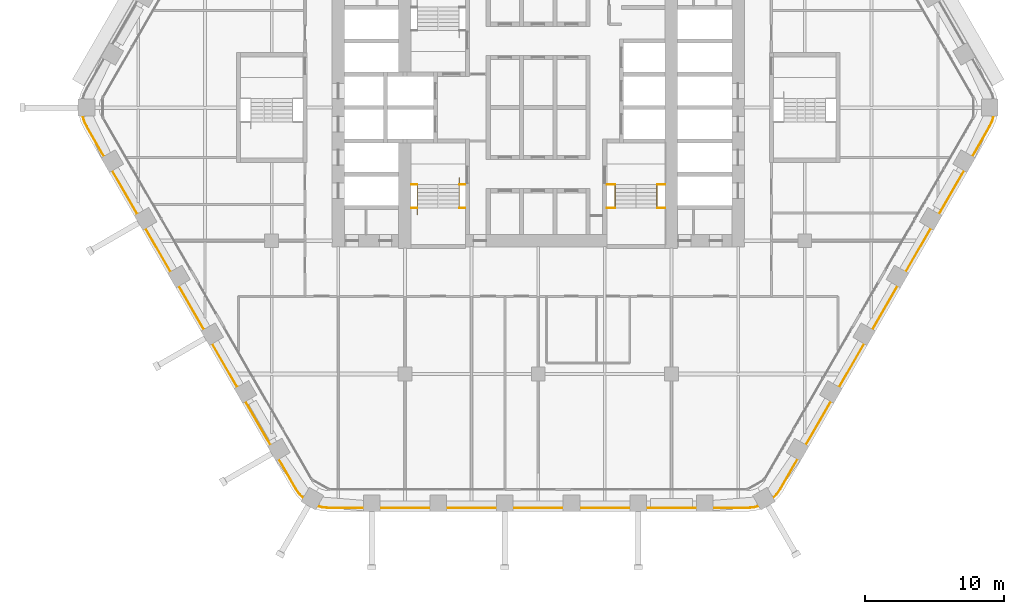
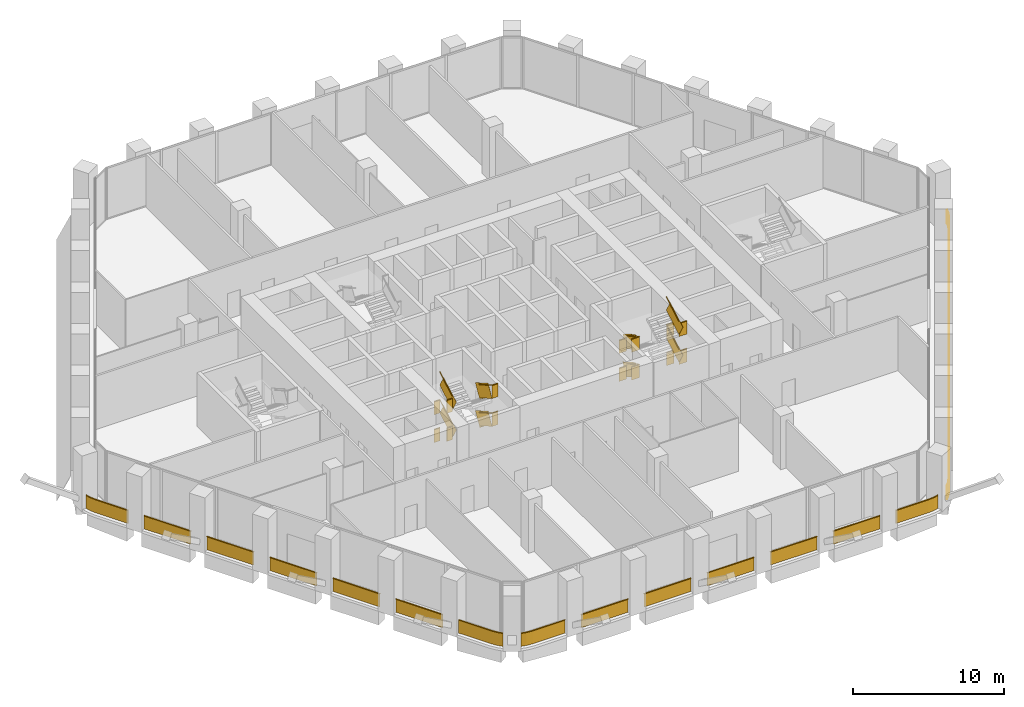
# One storey, part 24 of 26: 7 railings.
"""IFC4 building model written with IfcOpenShell, lengths in metres."""

from ifc_helpers import new_model, si_unit, direction, frame, frame_2d, origin, origin_2d, place, context, subcontext, project, spatial, rectangle, extrude, material, type_object, element, save


model = new_model("IFC4")

# Units and contexts
model_context = context("Model", 3, precision=1e-05, world=origin(), true_north=direction((0.0, 1.0)))
body_context = subcontext(model_context, "Body", "Model", "MODEL_VIEW")
ifc_project = project(units=[si_unit("LENGTHUNIT", "METRE"), si_unit("AREAUNIT", "SQUARE_METRE"), si_unit("VOLUMEUNIT", "CUBIC_METRE"), si_unit("PLANEANGLEUNIT", "RADIAN"), si_unit("MASSUNIT", "GRAM", prefix="KILO")], contexts=[model_context])

# Site, building, storey
site_placement = place(None, origin())
site = spatial("IfcSite", under=ifc_project, at=site_placement, CompositionType="ELEMENT")
building_placement = place(site_placement, origin())
building = spatial("IfcBuilding", under=site, at=building_placement, Name="Kolab Exchange Tower", CompositionType="ELEMENT")
storey_placement = place(building_placement, frame((0.0, 0.0, 104.89990234375)))
storey = spatial("IfcBuildingStorey", under=building, at=storey_placement, Name="L20", CompositionType="ELEMENT", Elevation=104.89990234375)

# Railings
ifc_material_1 = material(Name="Stainless steel 316", Category="steel")
railing_type_1 = type_object("IfcRailingType", Name="GUARD 1100", PredefinedType="GUARDRAIL", material=ifc_material_1)
railing_1_placement = place(storey_placement, frame((-9.14990234375, -5.550048828125, 0.0)))
element("IfcRailing", 1, at=railing_1_placement, inside=storey, type_object=railing_type_1, Name="Guard ST3", PredefinedType="GUARDRAIL", context=body_context, shape_type="SweptSolid", body=[
    extrude(rectangle(XDim=0.05, YDim=0.05, at=origin_2d()), frame((0.0, 0.0, 1.0751953125), z_axis=(1.0, 0.0, 0.0), x_axis=(0.0, 1.0, 0.0)), (0.0, 0.0, 1.0), 0.43994140625),
    extrude(rectangle(XDim=0.012, YDim=1.05009765625, at=frame_2d((0.0, 0.525146484375))), frame((0.0, 0.0, 0.0), z_axis=(1.0, 0.0, 0.0), x_axis=(0.0, 1.0, 0.0)), (0.0, 0.0, 1.0), 0.43994140625),
    extrude(rectangle(XDim=0.05, YDim=0.05, at=origin_2d()), frame((3.4599609375, 0.0, 1.0751953125), z_axis=(1.0, 0.0, 0.0), x_axis=(0.0, 1.0, 0.0)), (0.0, 0.0, 1.0), 0.43994140625),
    extrude(rectangle(XDim=0.012, YDim=1.05009765625, at=frame_2d((0.0, 0.525146484375))), frame((3.4599609375, 0.0, 0.0), z_axis=(1.0, 0.0, 0.0), x_axis=(0.0, 1.0, 0.0)), (0.0, 0.0, 1.0), 0.43994140625),
    extrude(rectangle(XDim=0.05, YDim=0.05, at=origin_2d()), frame((0.0, -1.679931640625, 2.2001953125), z_axis=(1.0, 0.0, 0.0), x_axis=(0.0, 1.0, 0.0)), (0.0, 0.0, 1.0), 0.43994140625),
    extrude(rectangle(XDim=0.012, YDim=1.05009765625, at=frame_2d((0.0, 0.525146484375))), frame((0.0, -1.679931640625, 1.125), z_axis=(1.0, 0.0, 0.0), x_axis=(0.0, 1.0, 0.0)), (0.0, 0.0, 1.0), 0.43994140625),
    extrude(rectangle(XDim=0.05, YDim=0.05, at=origin_2d()), frame((3.4599609375, -1.679931640625, 2.2001953125), z_axis=(1.0, 0.0, 0.0), x_axis=(0.0, 1.0, 0.0)), (0.0, 0.0, 1.0), 0.43994140625),
    extrude(rectangle(XDim=0.012, YDim=1.05009765625, at=frame_2d((0.0, 0.525146484375))), frame((3.4599609375, -1.679931640625, 1.125), z_axis=(1.0, 0.0, 0.0), x_axis=(0.0, 1.0, 0.0)), (0.0, 0.0, 1.0), 0.43994140625),
    extrude(rectangle(XDim=0.05, YDim=0.05, at=origin_2d()), frame((0.0, 0.0, 3.3251953125), z_axis=(1.0, 0.0, 0.0), x_axis=(0.0, 1.0, 0.0)), (0.0, 0.0, 1.0), 0.43994140625),
    extrude(rectangle(XDim=0.012, YDim=1.05009765625, at=frame_2d((0.0, 0.525146484375))), frame((0.0, 0.0, 2.25), z_axis=(1.0, 0.0, 0.0), x_axis=(0.0, 1.0, 0.0)), (0.0, 0.0, 1.0), 0.43994140625),
    extrude(rectangle(XDim=0.05, YDim=0.05, at=origin_2d()), frame((3.4599609375, 0.0, 3.3251953125), z_axis=(1.0, 0.0, 0.0), x_axis=(0.0, 1.0, 0.0)), (0.0, 0.0, 1.0), 0.43994140625),
    extrude(rectangle(XDim=0.012, YDim=1.05009765625, at=frame_2d((0.0, 0.525146484375))), frame((3.4599609375, 0.0, 2.25), z_axis=(1.0, 0.0, 0.0), x_axis=(0.0, 1.0, 0.0)), (0.0, 0.0, 1.0), 0.43994140625),
    extrude(rectangle(XDim=0.05, YDim=0.05, at=origin_2d()), frame((0.0, -1.679931640625, 4.4501953125), z_axis=(1.0, 0.0, 0.0), x_axis=(0.0, 1.0, 0.0)), (0.0, 0.0, 1.0), 0.43994140625),
    extrude(rectangle(XDim=0.012, YDim=1.05009765625, at=frame_2d((0.0, 0.525146484375))), frame((0.0, -1.679931640625, 3.375), z_axis=(1.0, 0.0, 0.0), x_axis=(0.0, 1.0, 0.0)), (0.0, 0.0, 1.0), 0.43994140625),
    extrude(rectangle(XDim=0.05, YDim=0.05, at=origin_2d()), frame((3.4599609375, -1.679931640625, 4.4501953125), z_axis=(1.0, 0.0, 0.0), x_axis=(0.0, 1.0, 0.0)), (0.0, 0.0, 1.0), 0.43994140625),
    extrude(rectangle(XDim=0.012, YDim=1.05009765625, at=frame_2d((0.0, 0.525146484375))), frame((3.4599609375, -1.679931640625, 3.375), z_axis=(1.0, 0.0, 0.0), x_axis=(0.0, 1.0, 0.0)), (0.0, 0.0, 1.0), 0.43994140625),
])
railing_2_placement = place(storey_placement, frame((-5.68994140625, -5.550048828125, 0.160888671875)))
element("IfcRailing", 2, at=railing_2_placement, inside=storey, type_object=railing_type_1, Name="Handrail guard ST3", PredefinedType="GUARDRAIL", context=body_context, shape_type="SweptSolid", body=[
    extrude(rectangle(XDim=0.05, YDim=0.05, at=origin_2d()), frame((0.0, 0.0, 1.0751953125), z_axis=(0.0, -0.867318599139, 0.497753400378), x_axis=(1.0, 0.0, 0.0)), (0.0, 0.0, 1.0), 1.93701171875),
    extrude(rectangle(XDim=0.012, YDim=1.05009765625, at=frame_2d((0.0, 0.525146484375))), frame((0.0, 0.0, 0.0), z_axis=(0.0, -0.867318599139, 0.497753400378), x_axis=(1.0, 0.0, 0.0)), (0.0, 0.0, 1.0), 1.93701171875),
    extrude(rectangle(XDim=0.05, YDim=0.05, at=origin_2d()), frame((-3.02001953125, -1.679931640625, 2.2001953125), z_axis=(0.0, 0.867318599139, 0.497753400378), x_axis=(-1.0, 0.0, 0.0)), (0.0, 0.0, 1.0), 1.93701171875),
    extrude(rectangle(XDim=0.012, YDim=1.05009765625, at=frame_2d((0.0, 0.525146484375))), frame((-3.02001953125, -1.679931640625, 1.125), z_axis=(0.0, 0.867318599139, 0.497753400378), x_axis=(-1.0, 0.0, 0.0)), (0.0, 0.0, 1.0), 1.93701171875),
    extrude(rectangle(XDim=0.05, YDim=0.05, at=origin_2d()), frame((0.0, 0.0, 3.3251953125), z_axis=(0.0, -0.867318599139, 0.497753400378), x_axis=(1.0, 0.0, 0.0)), (0.0, 0.0, 1.0), 1.93701171875),
    extrude(rectangle(XDim=0.012, YDim=1.05009765625, at=frame_2d((0.0, 0.525146484375))), frame((0.0, 0.0, 2.25), z_axis=(0.0, -0.867318599139, 0.497753400378), x_axis=(1.0, 0.0, 0.0)), (0.0, 0.0, 1.0), 1.93701171875),
    extrude(rectangle(XDim=0.05, YDim=0.05, at=origin_2d()), frame((-3.02001953125, -1.679931640625, 4.4501953125), z_axis=(0.0, 0.867318599139, 0.497753400378), x_axis=(-1.0, 0.0, 0.0)), (0.0, 0.0, 1.0), 1.93701171875),
    extrude(rectangle(XDim=0.012, YDim=1.05009765625, at=frame_2d((0.0, 0.525146484375))), frame((-3.02001953125, -1.679931640625, 3.375), z_axis=(0.0, 0.867318599139, 0.497753400378), x_axis=(-1.0, 0.0, 0.0)), (0.0, 0.0, 1.0), 1.93701171875),
])
railing_3_placement = place(storey_placement, frame((4.949951171875, -5.550048828125, 0.0)))
element("IfcRailing", 3, at=railing_3_placement, inside=storey, type_object=railing_type_1, Name="Guard ST2", PredefinedType="GUARDRAIL", context=body_context, shape_type="SweptSolid", body=[
    extrude(rectangle(XDim=0.05, YDim=0.05, at=origin_2d()), frame((0.0, 0.0, 1.0751953125), z_axis=(1.0, 0.0, 0.0), x_axis=(0.0, 1.0, 0.0)), (0.0, 0.0, 1.0), 0.590087890625),
    extrude(rectangle(XDim=0.012, YDim=1.05009765625, at=frame_2d((0.0, 0.525146484375))), frame((0.0, 0.0, 0.0), z_axis=(1.0, 0.0, 0.0), x_axis=(0.0, 1.0, 0.0)), (0.0, 0.0, 1.0), 0.590087890625),
    extrude(rectangle(XDim=0.05, YDim=0.05, at=origin_2d()), frame((3.610107421875, 0.0, 1.0751953125), z_axis=(1.0, 0.0, 0.0), x_axis=(0.0, 1.0, 0.0)), (0.0, 0.0, 1.0), 0.58984375),
    extrude(rectangle(XDim=0.012, YDim=1.05009765625, at=frame_2d((0.0, 0.525146484375))), frame((3.610107421875, 0.0, 0.0), z_axis=(1.0, 0.0, 0.0), x_axis=(0.0, 1.0, 0.0)), (0.0, 0.0, 1.0), 0.58984375),
    extrude(rectangle(XDim=0.05, YDim=0.05, at=origin_2d()), frame((0.0, -1.679931640625, 2.2001953125), z_axis=(1.0, 0.0, 0.0), x_axis=(0.0, 1.0, 0.0)), (0.0, 0.0, 1.0), 0.590087890625),
    extrude(rectangle(XDim=0.012, YDim=1.05009765625, at=frame_2d((0.0, 0.525146484375))), frame((0.0, -1.679931640625, 1.125), z_axis=(1.0, 0.0, 0.0), x_axis=(0.0, 1.0, 0.0)), (0.0, 0.0, 1.0), 0.590087890625),
    extrude(rectangle(XDim=0.05, YDim=0.05, at=origin_2d()), frame((3.610107421875, -1.679931640625, 2.2001953125), z_axis=(1.0, 0.0, 0.0), x_axis=(0.0, 1.0, 0.0)), (0.0, 0.0, 1.0), 0.58984375),
    extrude(rectangle(XDim=0.012, YDim=1.05009765625, at=frame_2d((0.0, 0.525146484375))), frame((3.610107421875, -1.679931640625, 1.125), z_axis=(1.0, 0.0, 0.0), x_axis=(0.0, 1.0, 0.0)), (0.0, 0.0, 1.0), 0.58984375),
    extrude(rectangle(XDim=0.05, YDim=0.05, at=origin_2d()), frame((0.0, 0.0, 3.3251953125), z_axis=(1.0, 0.0, 0.0), x_axis=(0.0, 1.0, 0.0)), (0.0, 0.0, 1.0), 0.590087890625),
    extrude(rectangle(XDim=0.012, YDim=1.05009765625, at=frame_2d((0.0, 0.525146484375))), frame((0.0, 0.0, 2.25), z_axis=(1.0, 0.0, 0.0), x_axis=(0.0, 1.0, 0.0)), (0.0, 0.0, 1.0), 0.590087890625),
    extrude(rectangle(XDim=0.05, YDim=0.05, at=origin_2d()), frame((3.610107421875, 0.0, 3.3251953125), z_axis=(1.0, 0.0, 0.0), x_axis=(0.0, 1.0, 0.0)), (0.0, 0.0, 1.0), 0.58984375),
    extrude(rectangle(XDim=0.012, YDim=1.05009765625, at=frame_2d((0.0, 0.525146484375))), frame((3.610107421875, 0.0, 2.25), z_axis=(1.0, 0.0, 0.0), x_axis=(0.0, 1.0, 0.0)), (0.0, 0.0, 1.0), 0.58984375),
    extrude(rectangle(XDim=0.05, YDim=0.05, at=origin_2d()), frame((0.0, -1.679931640625, 4.4501953125), z_axis=(1.0, 0.0, 0.0), x_axis=(0.0, 1.0, 0.0)), (0.0, 0.0, 1.0), 0.590087890625),
    extrude(rectangle(XDim=0.012, YDim=1.05009765625, at=frame_2d((0.0, 0.525146484375))), frame((0.0, -1.679931640625, 3.375), z_axis=(1.0, 0.0, 0.0), x_axis=(0.0, 1.0, 0.0)), (0.0, 0.0, 1.0), 0.590087890625),
    extrude(rectangle(XDim=0.05, YDim=0.05, at=origin_2d()), frame((3.610107421875, -1.679931640625, 4.4501953125), z_axis=(1.0, 0.0, 0.0), x_axis=(0.0, 1.0, 0.0)), (0.0, 0.0, 1.0), 0.58984375),
    extrude(rectangle(XDim=0.012, YDim=1.05009765625, at=frame_2d((0.0, 0.525146484375))), frame((3.610107421875, -1.679931640625, 3.375), z_axis=(1.0, 0.0, 0.0), x_axis=(0.0, 1.0, 0.0)), (0.0, 0.0, 1.0), 0.58984375),
])
railing_4_placement = place(storey_placement, frame((5.5400390625, -5.550048828125, 0.160888671875)))
element("IfcRailing", 4, at=railing_4_placement, inside=storey, type_object=railing_type_1, Name="Handrail guard ST2", PredefinedType="GUARDRAIL", context=body_context, shape_type="SweptSolid", body=[
    extrude(rectangle(XDim=0.05, YDim=0.05, at=origin_2d()), frame((0.0, 0.0, 1.0751953125), z_axis=(0.0, -0.867318599139, 0.497753400378), x_axis=(1.0, 0.0, 0.0)), (0.0, 0.0, 1.0), 1.93701171875),
    extrude(rectangle(XDim=0.012, YDim=1.05009765625, at=frame_2d((0.0, 0.525146484375))), frame((0.0, 0.0, 0.0), z_axis=(0.0, -0.867318599139, 0.497753400378), x_axis=(1.0, 0.0, 0.0)), (0.0, 0.0, 1.0), 1.93701171875),
    extrude(rectangle(XDim=0.05, YDim=0.05, at=origin_2d()), frame((3.02001953125, -1.679931640625, 2.2001953125), z_axis=(0.0, 0.867318599139, 0.497753400378), x_axis=(-1.0, 0.0, 0.0)), (0.0, 0.0, 1.0), 1.93701171875),
    extrude(rectangle(XDim=0.012, YDim=1.05009765625, at=frame_2d((0.0, 0.525146484375))), frame((3.02001953125, -1.679931640625, 1.125), z_axis=(0.0, 0.867318599139, 0.497753400378), x_axis=(-1.0, 0.0, 0.0)), (0.0, 0.0, 1.0), 1.93701171875),
    extrude(rectangle(XDim=0.05, YDim=0.05, at=origin_2d()), frame((0.0, 0.0, 3.3251953125), z_axis=(0.0, -0.867318599139, 0.497753400378), x_axis=(1.0, 0.0, 0.0)), (0.0, 0.0, 1.0), 1.93701171875),
    extrude(rectangle(XDim=0.012, YDim=1.05009765625, at=frame_2d((0.0, 0.525146484375))), frame((0.0, 0.0, 2.25), z_axis=(0.0, -0.867318599139, 0.497753400378), x_axis=(1.0, 0.0, 0.0)), (0.0, 0.0, 1.0), 1.93701171875),
    extrude(rectangle(XDim=0.05, YDim=0.05, at=origin_2d()), frame((3.02001953125, -1.679931640625, 4.4501953125), z_axis=(0.0, 0.867318599139, 0.497753400378), x_axis=(-1.0, 0.0, 0.0)), (0.0, 0.0, 1.0), 1.93701171875),
    extrude(rectangle(XDim=0.012, YDim=1.05009765625, at=frame_2d((0.0, 0.525146484375))), frame((3.02001953125, -1.679931640625, 3.375), z_axis=(0.0, 0.867318599139, 0.497753400378), x_axis=(-1.0, 0.0, 0.0)), (0.0, 0.0, 1.0), 1.93701171875),
])
ifc_material_2 = material(Name="Steel S235", Category="steel")
railing_type_2 = type_object("IfcRailingType", Name="GUARD 1100 GLASS BALUSTRADE AND STEEL TOP RAIL", PredefinedType="GUARDRAIL", material=ifc_material_2)
railing_5_placement = place(storey_placement, frame((16.9208984375, -28.119873046875, 0.0)))
element("IfcRailing", 5, at=railing_5_placement, inside=storey, type_object=railing_type_2, Name="Guard", PredefinedType="GUARDRAIL", context=body_context, shape_type="SweptSolid", body=[
    extrude(rectangle(XDim=0.05, YDim=0.05, at=origin_2d()), frame((0.0, 0.0, 1.0751953125), z_axis=(0.707106781187, 0.707106781187, 0.0), x_axis=(-0.707106781187, 0.707106781187, 0.0)), (0.0, 0.0, 1.0), 0.358642578125),
    extrude(rectangle(XDim=0.012, YDim=1.05009765625, at=frame_2d((0.0, 0.525146484375))), frame((0.0, 0.0, 0.0), z_axis=(0.707106781187, 0.707106781187, 0.0), x_axis=(-0.707106781187, 0.707106781187, 0.0)), (0.0, 0.0, 1.0), 0.358642578125),
    extrude(rectangle(XDim=0.05, YDim=0.05, at=origin_2d()), frame((0.253662109375, 0.253662109375, 1.0751953125), z_axis=(0.573359816273, 0.819303680624, 0.0), x_axis=(-0.819303680624, 0.573359816273, 0.0)), (0.0, 0.0, 1.0), 0.4794921875),
    extrude(rectangle(XDim=0.012, YDim=1.05009765625, at=frame_2d((0.0, 0.525146484375))), frame((0.253662109375, 0.253662109375, 0.0), z_axis=(0.573359816273, 0.819303680624, 0.0), x_axis=(-0.819303680624, 0.573359816273, 0.0)), (0.0, 0.0, 1.0), 0.4794921875),
    extrude(rectangle(XDim=0.05, YDim=0.05, at=origin_2d()), frame((0.528564453125, 0.646484375, 1.0751953125), z_axis=(0.500064973171, 0.865987888257, 0.0), x_axis=(-0.865987888257, 0.500064973171, 0.0)), (0.0, 0.0, 1.0), 2.468017578125),
    extrude(rectangle(XDim=0.012, YDim=1.05009765625, at=frame_2d((0.0, 0.525146484375))), frame((0.528564453125, 0.646484375, 0.0), z_axis=(0.500064973171, 0.865987888257, 0.0), x_axis=(-0.865987888257, 0.500064973171, 0.0)), (0.0, 0.0, 1.0), 2.468017578125),
    extrude(rectangle(XDim=0.05, YDim=0.05, at=origin_2d()), frame((2.362548828125, 3.822998046875, 1.0751953125), z_axis=(0.500012057535, 0.866018442252, 0.0), x_axis=(-0.866018442252, 0.500012057535, 0.0)), (0.0, 0.0, 1.0), 3.60009765625),
    extrude(rectangle(XDim=0.012, YDim=1.05009765625, at=frame_2d((0.0, 0.525146484375))), frame((2.362548828125, 3.822998046875, 0.0), z_axis=(0.500012057535, 0.866018442252, 0.0), x_axis=(-0.866018442252, 0.500012057535, 0.0)), (0.0, 0.0, 1.0), 3.60009765625),
    extrude(rectangle(XDim=0.05, YDim=0.05, at=origin_2d()), frame((4.7626953125, 7.97998046875, 1.0751953125), z_axis=(0.499961193289, 0.866047807691, 0.0), x_axis=(-0.866047807691, 0.499961193289, 0.0)), (0.0, 0.0, 1.0), 3.599853515625),
    extrude(rectangle(XDim=0.012, YDim=1.05009765625, at=frame_2d((0.0, 0.525146484375))), frame((4.7626953125, 7.97998046875, 0.0), z_axis=(0.499961193289, 0.866047807691, 0.0), x_axis=(-0.866047807691, 0.499961193289, 0.0)), (0.0, 0.0, 1.0), 3.599853515625),
    extrude(rectangle(XDim=0.05, YDim=0.05, at=origin_2d()), frame((7.16259765625, 12.13671875, 1.0751953125), z_axis=(0.500012057535, 0.866018442252, 0.0), x_axis=(-0.866018442252, 0.500012057535, 0.0)), (0.0, 0.0, 1.0), 3.60009765625),
    extrude(rectangle(XDim=0.012, YDim=1.05009765625, at=frame_2d((0.0, 0.525146484375))), frame((7.16259765625, 12.13671875, 0.0), z_axis=(0.500012057535, 0.866018442252, 0.0), x_axis=(-0.866018442252, 0.500012057535, 0.0)), (0.0, 0.0, 1.0), 3.60009765625),
    extrude(rectangle(XDim=0.05, YDim=0.05, at=origin_2d()), frame((9.5625, 16.293701171875, 1.0751953125), z_axis=(0.500012057535, 0.866018442252, 0.0), x_axis=(-0.866018442252, 0.500012057535, 0.0)), (0.0, 0.0, 1.0), 3.60009765625),
    extrude(rectangle(XDim=0.012, YDim=1.05009765625, at=frame_2d((0.0, 0.525146484375))), frame((9.5625, 16.293701171875, 0.0), z_axis=(0.500012057535, 0.866018442252, 0.0), x_axis=(-0.866018442252, 0.500012057535, 0.0)), (0.0, 0.0, 1.0), 3.60009765625),
    extrude(rectangle(XDim=0.05, YDim=0.05, at=origin_2d()), frame((11.962646484375, 20.45068359375, 1.0751953125), z_axis=(0.500012057535, 0.866018442252, 0.0), x_axis=(-0.866018442252, 0.500012057535, 0.0)), (0.0, 0.0, 1.0), 3.60009765625),
    extrude(rectangle(XDim=0.012, YDim=1.05009765625, at=frame_2d((0.0, 0.525146484375))), frame((11.962646484375, 20.45068359375, 0.0), z_axis=(0.500012057535, 0.866018442252, 0.0), x_axis=(-0.866018442252, 0.500012057535, 0.0)), (0.0, 0.0, 1.0), 3.60009765625),
    extrude(rectangle(XDim=0.05, YDim=0.05, at=origin_2d()), frame((14.362548828125, 24.607666015625, 1.0751953125), z_axis=(0.500064973171, 0.865987888257, 0.0), x_axis=(-0.865987888257, 0.500064973171, 0.0)), (0.0, 0.0, 1.0), 2.468017578125),
    extrude(rectangle(XDim=0.012, YDim=1.05009765625, at=frame_2d((0.0, 0.525146484375))), frame((14.362548828125, 24.607666015625, 0.0), z_axis=(0.500064973171, 0.865987888257, 0.0), x_axis=(-0.865987888257, 0.500064973171, 0.0)), (0.0, 0.0, 1.0), 2.468017578125),
    extrude(rectangle(XDim=0.05, YDim=0.05, at=origin_2d()), frame((15.5966796875, 26.744873046875, 1.0751953125), z_axis=(0.422383329074, 0.906417300872, 0.0), x_axis=(-0.906417300872, 0.422383329074, 0.0)), (0.0, 0.0, 1.0), 0.479248046875),
    extrude(rectangle(XDim=0.012, YDim=1.05009765625, at=frame_2d((0.0, 0.525146484375))), frame((15.5966796875, 26.744873046875, 0.0), z_axis=(0.422383329074, 0.906417300872, 0.0), x_axis=(-0.906417300872, 0.422383329074, 0.0)), (0.0, 0.0, 1.0), 0.479248046875),
    extrude(rectangle(XDim=0.05, YDim=0.05, at=origin_2d()), frame((15.799072265625, 27.17919921875, 1.0751953125), z_axis=(0.259144041577, 0.965838685141, 0.0), x_axis=(-0.965838685141, 0.259144041577, 0.0)), (0.0, 0.0, 1.0), 0.35888671875),
    extrude(rectangle(XDim=0.012, YDim=1.05009765625, at=frame_2d((0.0, 0.525146484375))), frame((15.799072265625, 27.17919921875, 0.0), z_axis=(0.259144041577, 0.965838685141, 0.0), x_axis=(-0.965838685141, 0.259144041577, 0.0)), (0.0, 0.0, 1.0), 0.35888671875),
])
railing_6_placement = place(storey_placement, frame((-15.89208984375, -28.7138671875, 0.0)))
element("IfcRailing", 6, at=railing_6_placement, inside=storey, type_object=railing_type_2, Name="Guard", PredefinedType="GUARDRAIL", context=body_context, shape_type="SweptSolid", body=[
    extrude(rectangle(XDim=0.05, YDim=0.05, at=origin_2d()), frame((0.0, 0.0, 1.0751953125), z_axis=(0.966008746817, -0.258509382951, 0.0), x_axis=(0.258509382951, 0.966008746817, 0.0)), (0.0, 0.0, 1.0), 0.35888671875),
    extrude(rectangle(XDim=0.012, YDim=1.05009765625, at=frame_2d((0.0, 0.525146484375))), frame((0.0, 0.0, 0.0), z_axis=(0.966008746817, -0.258509382951, 0.0), x_axis=(0.258509382951, 0.966008746817, 0.0)), (0.0, 0.0, 1.0), 0.35888671875),
    extrude(rectangle(XDim=0.05, YDim=0.05, at=origin_2d()), frame((0.3466796875, -0.0927734375, 1.0751953125), z_axis=(0.996200348447, -0.087091134757, 0.0), x_axis=(0.087091134757, 0.996200348447, 0.0)), (0.0, 0.0, 1.0), 0.479248046875),
    extrude(rectangle(XDim=0.012, YDim=1.05009765625, at=frame_2d((0.0, 0.525146484375))), frame((0.3466796875, -0.0927734375, 0.0), z_axis=(0.996200348447, -0.087091134757, 0.0), x_axis=(0.087091134757, 0.996200348447, 0.0)), (0.0, 0.0, 1.0), 0.479248046875),
    extrude(rectangle(XDim=0.05, YDim=0.05, at=origin_2d()), frame((0.82421875, -0.134521484375, 1.0751953125), z_axis=(1.0, 0.0, 0.0), x_axis=(0.0, 1.0, 0.0)), (0.0, 0.0, 1.0), 2.4677734375),
    extrude(rectangle(XDim=0.012, YDim=1.05009765625, at=frame_2d((0.0, 0.525146484375))), frame((0.82421875, -0.134521484375, 0.0), z_axis=(1.0, 0.0, 0.0), x_axis=(0.0, 1.0, 0.0)), (0.0, 0.0, 1.0), 2.4677734375),
    extrude(rectangle(XDim=0.05, YDim=0.05, at=origin_2d()), frame((4.4921875, -0.134521484375, 1.0751953125), z_axis=(1.0, 0.0, 0.0), x_axis=(0.0, 1.0, 0.0)), (0.0, 0.0, 1.0), 3.599853515625),
    extrude(rectangle(XDim=0.012, YDim=1.05009765625, at=frame_2d((0.0, 0.525146484375))), frame((4.4921875, -0.134521484375, 0.0), z_axis=(1.0, 0.0, 0.0), x_axis=(0.0, 1.0, 0.0)), (0.0, 0.0, 1.0), 3.599853515625),
    extrude(rectangle(XDim=0.05, YDim=0.05, at=origin_2d()), frame((9.2919921875, -0.134521484375, 1.0751953125), z_axis=(1.0, 0.0, 0.0), x_axis=(0.0, 1.0, 0.0)), (0.0, 0.0, 1.0), 3.60009765625),
    extrude(rectangle(XDim=0.012, YDim=1.05009765625, at=frame_2d((0.0, 0.525146484375))), frame((9.2919921875, -0.134521484375, 0.0), z_axis=(1.0, 0.0, 0.0), x_axis=(0.0, 1.0, 0.0)), (0.0, 0.0, 1.0), 3.60009765625),
    extrude(rectangle(XDim=0.05, YDim=0.05, at=origin_2d()), frame((14.092041015625, -0.134521484375, 1.0751953125), z_axis=(1.0, 0.0, 0.0), x_axis=(0.0, 1.0, 0.0)), (0.0, 0.0, 1.0), 3.60009765625),
    extrude(rectangle(XDim=0.012, YDim=1.05009765625, at=frame_2d((0.0, 0.525146484375))), frame((14.092041015625, -0.134521484375, 0.0), z_axis=(1.0, 0.0, 0.0), x_axis=(0.0, 1.0, 0.0)), (0.0, 0.0, 1.0), 3.60009765625),
    extrude(rectangle(XDim=0.05, YDim=0.05, at=origin_2d()), frame((18.89208984375, -0.134521484375, 1.0751953125), z_axis=(1.0, 0.0, 0.0), x_axis=(0.0, 1.0, 0.0)), (0.0, 0.0, 1.0), 3.60009765625),
    extrude(rectangle(XDim=0.012, YDim=1.05009765625, at=frame_2d((0.0, 0.525146484375))), frame((18.89208984375, -0.134521484375, 0.0), z_axis=(1.0, 0.0, 0.0), x_axis=(0.0, 1.0, 0.0)), (0.0, 0.0, 1.0), 3.60009765625),
    extrude(rectangle(XDim=0.05, YDim=0.05, at=origin_2d()), frame((23.692138671875, -0.134521484375, 1.0751953125), z_axis=(1.0, 0.0, 0.0), x_axis=(0.0, 1.0, 0.0)), (0.0, 0.0, 1.0), 3.599853515625),
    extrude(rectangle(XDim=0.012, YDim=1.05009765625, at=frame_2d((0.0, 0.525146484375))), frame((23.692138671875, -0.134521484375, 0.0), z_axis=(1.0, 0.0, 0.0), x_axis=(0.0, 1.0, 0.0)), (0.0, 0.0, 1.0), 3.599853515625),
    extrude(rectangle(XDim=0.05, YDim=0.05, at=origin_2d()), frame((28.4921875, -0.134521484375, 1.0751953125), z_axis=(1.0, 0.0, 0.0), x_axis=(0.0, 1.0, 0.0)), (0.0, 0.0, 1.0), 2.4677734375),
    extrude(rectangle(XDim=0.012, YDim=1.05009765625, at=frame_2d((0.0, 0.525146484375))), frame((28.4921875, -0.134521484375, 0.0), z_axis=(1.0, 0.0, 0.0), x_axis=(0.0, 1.0, 0.0)), (0.0, 0.0, 1.0), 2.4677734375),
    extrude(rectangle(XDim=0.05, YDim=0.05, at=origin_2d()), frame((30.9599609375, -0.134521484375, 1.0751953125), z_axis=(0.996200348447, 0.087091134757, 0.0), x_axis=(-0.087091134757, 0.996200348447, 0.0)), (0.0, 0.0, 1.0), 0.479248046875),
    extrude(rectangle(XDim=0.012, YDim=1.05009765625, at=frame_2d((0.0, 0.525146484375))), frame((30.9599609375, -0.134521484375, 0.0), z_axis=(0.996200348447, 0.087091134757, 0.0), x_axis=(-0.087091134757, 0.996200348447, 0.0)), (0.0, 0.0, 1.0), 0.479248046875),
    extrude(rectangle(XDim=0.05, YDim=0.05, at=origin_2d()), frame((31.4375, -0.0927734375, 1.0751953125), z_axis=(0.966008746817, 0.258509382951, 0.0), x_axis=(-0.258509382951, 0.966008746817, 0.0)), (0.0, 0.0, 1.0), 0.35888671875),
    extrude(rectangle(XDim=0.012, YDim=1.05009765625, at=frame_2d((0.0, 0.525146484375))), frame((31.4375, -0.0927734375, 0.0), z_axis=(0.966008746817, 0.258509382951, 0.0), x_axis=(-0.258509382951, 0.966008746817, 0.0)), (0.0, 0.0, 1.0), 0.35888671875),
])
railing_7_placement = place(storey_placement, frame((-32.81298828125, -0.593994140625, 0.0)))
element("IfcRailing", 7, at=railing_7_placement, inside=storey, type_object=railing_type_2, Name="Guard", PredefinedType="GUARDRAIL", context=body_context, shape_type="SweptSolid", body=[
    extrude(rectangle(XDim=0.05, YDim=0.05, at=origin_2d()), frame((0.0, 0.0, 1.0751953125), z_axis=(0.259144041577, -0.965838685141, 0.0), x_axis=(0.965838685141, 0.259144041577, 0.0)), (0.0, 0.0, 1.0), 0.35888671875),
    extrude(rectangle(XDim=0.012, YDim=1.05009765625, at=frame_2d((0.0, 0.525146484375))), frame((0.0, 0.0, 0.0), z_axis=(0.259144041577, -0.965838685141, 0.0), x_axis=(0.965838685141, 0.259144041577, 0.0)), (0.0, 0.0, 1.0), 0.35888671875),
    extrude(rectangle(XDim=0.05, YDim=0.05, at=origin_2d()), frame((0.093017578125, -0.3466796875, 1.0751953125), z_axis=(0.422383329074, -0.906417300872, 0.0), x_axis=(0.906417300872, 0.422383329074, 0.0)), (0.0, 0.0, 1.0), 0.479248046875),
    extrude(rectangle(XDim=0.012, YDim=1.05009765625, at=frame_2d((0.0, 0.525146484375))), frame((0.093017578125, -0.3466796875, 0.0), z_axis=(0.422383329074, -0.906417300872, 0.0), x_axis=(0.906417300872, 0.422383329074, 0.0)), (0.0, 0.0, 1.0), 0.479248046875),
    extrude(rectangle(XDim=0.05, YDim=0.05, at=origin_2d()), frame((0.29541015625, -0.781005859375, 1.0751953125), z_axis=(0.500064973171, -0.865987888257, 0.0), x_axis=(0.865987888257, 0.500064973171, 0.0)), (0.0, 0.0, 1.0), 2.468017578125),
    extrude(rectangle(XDim=0.012, YDim=1.05009765625, at=frame_2d((0.0, 0.525146484375))), frame((0.29541015625, -0.781005859375, 0.0), z_axis=(0.500064973171, -0.865987888257, 0.0), x_axis=(0.865987888257, 0.500064973171, 0.0)), (0.0, 0.0, 1.0), 2.468017578125),
    extrude(rectangle(XDim=0.05, YDim=0.05, at=origin_2d()), frame((2.12939453125, -3.95751953125, 1.0751953125), z_axis=(0.500012057535, -0.866018442252, 0.0), x_axis=(0.866018442252, 0.500012057535, 0.0)), (0.0, 0.0, 1.0), 3.60009765625),
    extrude(rectangle(XDim=0.012, YDim=1.05009765625, at=frame_2d((0.0, 0.525146484375))), frame((2.12939453125, -3.95751953125, 0.0), z_axis=(0.500012057535, -0.866018442252, 0.0), x_axis=(0.866018442252, 0.500012057535, 0.0)), (0.0, 0.0, 1.0), 3.60009765625),
    extrude(rectangle(XDim=0.05, YDim=0.05, at=origin_2d()), frame((4.529541015625, -8.114501953125, 1.0751953125), z_axis=(0.500012057535, -0.866018442252, 0.0), x_axis=(0.866018442252, 0.500012057535, 0.0)), (0.0, 0.0, 1.0), 3.60009765625),
    extrude(rectangle(XDim=0.012, YDim=1.05009765625, at=frame_2d((0.0, 0.525146484375))), frame((4.529541015625, -8.114501953125, 0.0), z_axis=(0.500012057535, -0.866018442252, 0.0), x_axis=(0.866018442252, 0.500012057535, 0.0)), (0.0, 0.0, 1.0), 3.60009765625),
    extrude(rectangle(XDim=0.05, YDim=0.05, at=origin_2d()), frame((6.929443359375, -12.271484375, 1.0751953125), z_axis=(0.500012057535, -0.866018442252, 0.0), x_axis=(0.866018442252, 0.500012057535, 0.0)), (0.0, 0.0, 1.0), 3.60009765625),
    extrude(rectangle(XDim=0.012, YDim=1.05009765625, at=frame_2d((0.0, 0.525146484375))), frame((6.929443359375, -12.271484375, 0.0), z_axis=(0.500012057535, -0.866018442252, 0.0), x_axis=(0.866018442252, 0.500012057535, 0.0)), (0.0, 0.0, 1.0), 3.60009765625),
    extrude(rectangle(XDim=0.05, YDim=0.05, at=origin_2d()), frame((9.32958984375, -16.42822265625, 1.0751953125), z_axis=(0.499961193289, -0.866047807691, 0.0), x_axis=(0.866047807691, 0.499961193289, 0.0)), (0.0, 0.0, 1.0), 3.599853515625),
    extrude(rectangle(XDim=0.012, YDim=1.05009765625, at=frame_2d((0.0, 0.525146484375))), frame((9.32958984375, -16.42822265625, 0.0), z_axis=(0.499961193289, -0.866047807691, 0.0), x_axis=(0.866047807691, 0.499961193289, 0.0)), (0.0, 0.0, 1.0), 3.599853515625),
    extrude(rectangle(XDim=0.05, YDim=0.05, at=origin_2d()), frame((11.7294921875, -20.585205078125, 1.0751953125), z_axis=(0.500012057535, -0.866018442252, 0.0), x_axis=(0.866018442252, 0.500012057535, 0.0)), (0.0, 0.0, 1.0), 3.60009765625),
    extrude(rectangle(XDim=0.012, YDim=1.05009765625, at=frame_2d((0.0, 0.525146484375))), frame((11.7294921875, -20.585205078125, 0.0), z_axis=(0.500012057535, -0.866018442252, 0.0), x_axis=(0.866018442252, 0.500012057535, 0.0)), (0.0, 0.0, 1.0), 3.60009765625),
    extrude(rectangle(XDim=0.05, YDim=0.05, at=origin_2d()), frame((14.12939453125, -24.7421875, 1.0751953125), z_axis=(0.500064973171, -0.865987888257, 0.0), x_axis=(0.865987888257, 0.500064973171, 0.0)), (0.0, 0.0, 1.0), 2.468017578125),
    extrude(rectangle(XDim=0.012, YDim=1.05009765625, at=frame_2d((0.0, 0.525146484375))), frame((14.12939453125, -24.7421875, 0.0), z_axis=(0.500064973171, -0.865987888257, 0.0), x_axis=(0.865987888257, 0.500064973171, 0.0)), (0.0, 0.0, 1.0), 2.468017578125),
    extrude(rectangle(XDim=0.05, YDim=0.05, at=origin_2d()), frame((15.363525390625, -26.87939453125, 1.0751953125), z_axis=(0.573359816273, -0.819303680624, 0.0), x_axis=(0.819303680624, 0.573359816273, 0.0)), (0.0, 0.0, 1.0), 0.4794921875),
    extrude(rectangle(XDim=0.012, YDim=1.05009765625, at=frame_2d((0.0, 0.525146484375))), frame((15.363525390625, -26.87939453125, 0.0), z_axis=(0.573359816273, -0.819303680624, 0.0), x_axis=(0.819303680624, 0.573359816273, 0.0)), (0.0, 0.0, 1.0), 0.4794921875),
    extrude(rectangle(XDim=0.05, YDim=0.05, at=origin_2d()), frame((15.638427734375, -27.272216796875, 1.0751953125), z_axis=(0.707106781187, -0.707106781187, 0.0), x_axis=(0.707106781187, 0.707106781187, 0.0)), (0.0, 0.0, 1.0), 0.358642578125),
    extrude(rectangle(XDim=0.012, YDim=1.05009765625, at=frame_2d((0.0, 0.525146484375))), frame((15.638427734375, -27.272216796875, 0.0), z_axis=(0.707106781187, -0.707106781187, 0.0), x_axis=(0.707106781187, 0.707106781187, 0.0)), (0.0, 0.0, 1.0), 0.358642578125),
])

save(model, "model.ifc")
